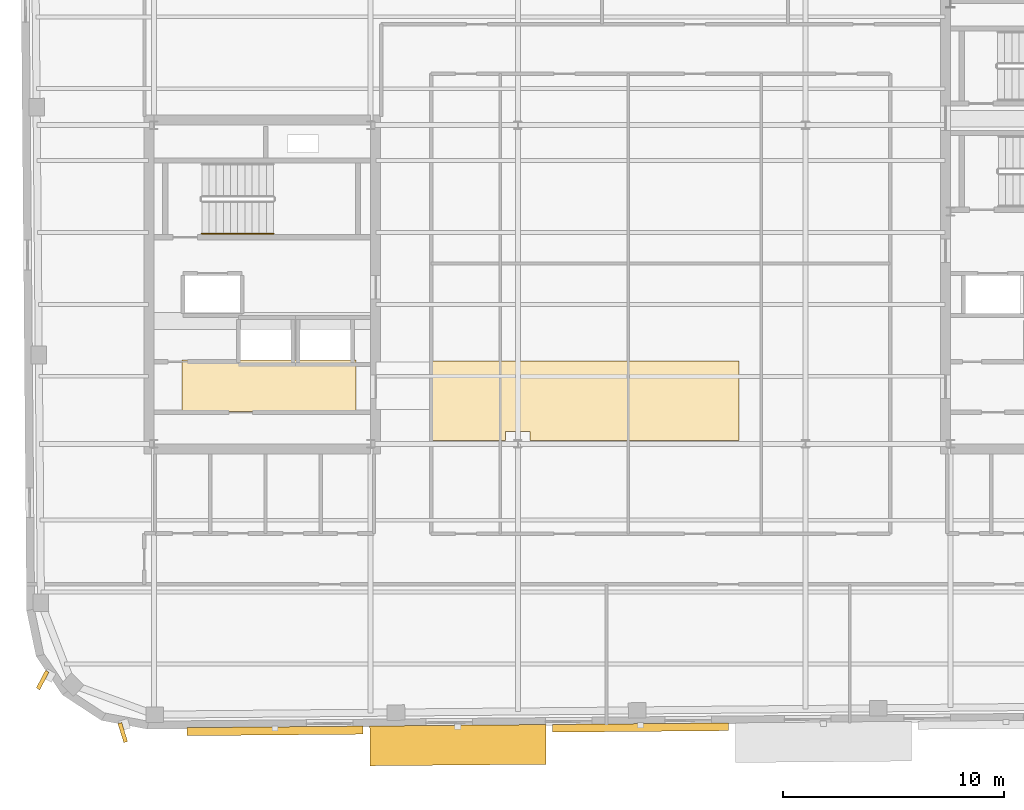
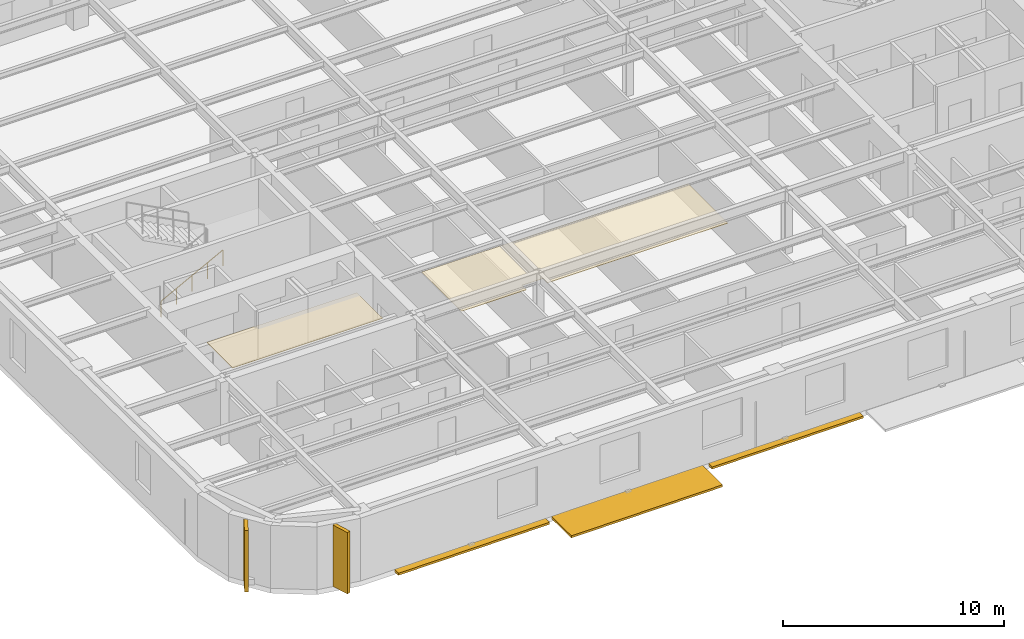
# One storey, part 11 of 15: 5 shading devices, 2 coverings, 1 railing.
"""IFC4 building model written with IfcOpenShell, lengths in metres."""

import ifcopenshell
import ifcopenshell.guid

model = None  # the IFC model being written
_history = None  # IfcOwnerHistory: only IFC2X3 demands one
_inside = {}  # id of a spatial element -> (the spatial element, [elements in it])
_under = {}  # id of a project, library or spatial element -> (it, [spatial elements below it])
_declared = {}  # id of a project -> (the project, [libraries it declares])
_typed = {}  # id of a type object -> (the type object, [elements of that type])
_made_of = {}  # id of a material, layer set ... -> (it, [elements and type objects made of it])


def new_model(schema):
    """Start an empty IFC model of exactly this schema.

    Asked for "IFC4X3", IfcOpenShell would pick the latest addendum, in which some entities
    have other attributes; the version numbers below select the first issue.
    IFC2X3 requires an IfcOwnerHistory on every rooted entity: one is made here for all.
    """
    global model, _history
    if schema == "IFC4X3":
        model = ifcopenshell.file(schema_version=(4, 3, 0, 0))
    else:
        model = ifcopenshell.file(schema=schema)
    _inside.clear()
    _under.clear()
    _declared.clear()
    _typed.clear()
    _made_of.clear()
    _history = None
    if model.schema == "IFC2X3":
        org = make("IfcOrganization", Name="unknown")
        user = make(
            "IfcPersonAndOrganization",
            ThePerson=make("IfcPerson", FamilyName="unknown"),
            TheOrganization=org,
        )
        app = make(
            "IfcApplication",
            ApplicationDeveloper=org,
            Version="unknown",
            ApplicationFullName="unknown",
            ApplicationIdentifier="unknown",
        )
        _history = make(
            "IfcOwnerHistory",
            OwningUser=user,
            OwningApplication=app,
            ChangeAction="ADDED",
            CreationDate=0,
        )
    return model


def make(cls, **values):
    """One entity of the class cls with the attributes given. An attribute that is None is left unset."""
    return model.create_entity(
        cls, **{name: value for name, value in values.items() if value is not None}
    )


def rooted(cls, **values):
    """An entity with a GlobalId (a new one), such as an element, a storey or a relation."""
    return make(cls, GlobalId=ifcopenshell.guid.new(), OwnerHistory=_history, **values)


def si_unit(unit_type, name, prefix=None):
    """IfcSIUnit, for example si_unit("LENGTHUNIT", "METRE", prefix="MILLI")."""
    return make("IfcSIUnit", UnitType=unit_type, Prefix=prefix, Name=name)


def assignment(units):
    """IfcUnitAssignment: the units of a project."""
    return None if units is None else make("IfcUnitAssignment", Units=units)


def point(xyz):
    """IfcCartesianPoint."""
    return None if xyz is None else make("IfcCartesianPoint", Coordinates=xyz)


def direction(xyz):
    """IfcDirection."""
    return None if xyz is None else make("IfcDirection", DirectionRatios=xyz)


def frame(location, z_axis=None, x_axis=None):
    """IfcAxis2Placement3D, a coordinate frame: its origin and axes. An axis left out is left unset."""
    return make(
        "IfcAxis2Placement3D",
        Location=point(location),
        Axis=direction(z_axis),
        RefDirection=direction(x_axis),
    )


def frame_2d(location, x_axis=None):
    """IfcAxis2Placement2D, a coordinate frame in the plane: its origin and x axis."""
    return make(
        "IfcAxis2Placement2D", Location=point(location), RefDirection=direction(x_axis)
    )


def origin():
    """The frame at (0, 0, 0) with its axes left unset."""
    return frame((0.0, 0.0, 0.0))


def origin_2d():
    """The frame at (0, 0) in the plane with its x axis left unset."""
    return frame_2d((0.0, 0.0))


def place(relative_to, where):
    """IfcLocalPlacement: puts the frame where relative to a parent placement (None: the world)."""
    return make(
        "IfcLocalPlacement", PlacementRelTo=relative_to, RelativePlacement=where
    )


def context(
    kind, dimensions, precision=None, world=None, true_north=None, identifier=None
):
    """IfcGeometricRepresentationContext, for example the 3D "Model" context."""
    return make(
        "IfcGeometricRepresentationContext",
        ContextIdentifier=identifier,
        ContextType=kind,
        CoordinateSpaceDimension=dimensions,
        Precision=precision,
        WorldCoordinateSystem=world,
        TrueNorth=true_north,
    )


def subcontext(parent, identifier, kind, view, scale=None):
    """IfcGeometricRepresentationSubContext, for example "Body" below "Model"."""
    return make(
        "IfcGeometricRepresentationSubContext",
        ContextIdentifier=identifier,
        ContextType=kind,
        ParentContext=parent,
        TargetScale=scale,
        TargetView=view,
    )


def project(units=None, contexts=None):
    """IfcProject with its units and contexts."""
    return rooted(
        "IfcProject",
        Name="project",
        RepresentationContexts=contexts,
        UnitsInContext=assignment(units),
    )


def spatial(cls, under=None, at=None, **own):
    """A site, building, storey or space (cls), placed at a placement, below another one or the project."""
    s = rooted(cls, ObjectPlacement=at, **own)
    if under is not None:
        _under.setdefault(under.id(), (under, []))[1].append(s)
    return s


def polyline(points):
    """IfcPolyline through the points."""
    return make("IfcPolyline", Points=[point(p) for p in points])


def profile(cls, at=None, kind="AREA", **sizes):
    """A parametric profile (cls). Its sizes go by their IFC names, for example OverallWidth=200.0."""
    return make(cls, ProfileType=kind, Position=at, **sizes)


def rectangle(**sizes):
    """IfcRectangleProfileDef."""
    return profile("IfcRectangleProfileDef", **sizes)


def circle(**sizes):
    """IfcCircleProfileDef."""
    return profile("IfcCircleProfileDef", **sizes)


def outline(outer, holes=None, kind="AREA"):
    """IfcArbitraryClosedProfileDef: a profile drawn as a closed curve; with holes, ...WithVoids."""
    if holes is None:
        return make("IfcArbitraryClosedProfileDef", ProfileType=kind, OuterCurve=outer)
    return make(
        "IfcArbitraryProfileDefWithVoids",
        ProfileType=kind,
        OuterCurve=outer,
        InnerCurves=holes,
    )


def extrude(swept, where, along, depth):
    """IfcExtrudedAreaSolid: the profile swept, set in the frame where, extruded along a direction by depth."""
    return make(
        "IfcExtrudedAreaSolid",
        SweptArea=swept,
        Position=where,
        ExtrudedDirection=direction(along),
        Depth=depth,
    )


def shape(context_of_items, identifier, shape_type, items):
    """IfcShapeRepresentation: the items that make up one representation, for example the "Body"."""
    return make(
        "IfcShapeRepresentation",
        ContextOfItems=context_of_items,
        RepresentationIdentifier=identifier,
        RepresentationType=shape_type,
        Items=items,
    )


def material(Name=None, Category=None):
    """IfcMaterial."""
    return make("IfcMaterial", Name=Name, Category=Category)


def layer(
    of_material, thickness, ventilated=None, Name=None, Category=None, Priority=None
):
    """IfcMaterialLayer: one layer of a wall or slab, of a material (None: an air gap)."""
    return make(
        "IfcMaterialLayer",
        Material=of_material,
        LayerThickness=thickness,
        IsVentilated=ventilated,
        Name=Name,
        Category=Category,
        Priority=Priority,
    )


def layer_set(layers, Name=None):
    """IfcMaterialLayerSet."""
    return make("IfcMaterialLayerSet", MaterialLayers=layers, LayerSetName=Name)


def made_of(thing, what):
    """Note that an element or type object is made of a material, layer set ...; save() writes the relation."""
    if what is not None:
        _made_of.setdefault(what.id(), (what, []))[1].append(thing)
    return thing


def type_object(cls, material=None, **own):
    """A type object (cls), such as IfcWallType, which elements share."""
    return made_of(rooted(cls, **own), material)


def element(
    cls,
    number,
    at=None,
    inside=None,
    cuts=None,
    type_object=None,
    material=None,
    context=None,
    identifier="Body",
    shape_type=None,
    held_by="IfcProductDefinitionShape",
    body=None,
    shapes=None,
    **own,
):
    """One element of the class cls, such as IfcWall. Its Tag is "e" and its number.

    at: its placement. inside: the storey or other place that contains it. cuts: it is an
    opening in that element (IfcRelVoidsElement). A single representation is given by context,
    identifier, shape_type and body (its items); several are given by shapes. held_by: the class
    of the entity that holds the representations. save() writes the other relations.
    """
    e = rooted(cls, Tag="e%d" % number, ObjectPlacement=at, **own)
    if body is not None:
        shapes = [shape(context, identifier, shape_type, body)]
    if shapes is not None:
        e.Representation = make(held_by, Representations=shapes)
    if inside is not None:
        _inside.setdefault(inside.id(), (inside, []))[1].append(e)
    if cuts is not None:
        rooted(
            "IfcRelVoidsElement", RelatingBuildingElement=cuts, RelatedOpeningElement=e
        )
    if type_object is not None:
        _typed.setdefault(type_object.id(), (type_object, []))[1].append(e)
    return made_of(e, material)


def aggregate(whole, parts):
    """IfcRelAggregates: a whole, such as a stair, and the parts it consists of."""
    return rooted("IfcRelAggregates", RelatingObject=whole, RelatedObjects=parts)


def save(model, path):
    """Write the relations noted so far, then the file.

    IfcRelAggregates (storeys below a building ...), IfcRelContainedInSpatialStructure (elements
    in a storey), IfcRelDefinesByType, IfcRelAssociatesMaterial and IfcRelDeclares: one each for
    every whole, place, type object, material and project.
    """
    for whole, parts in _under.values():
        aggregate(whole, parts)
    for where, things in _inside.values():
        rooted(
            "IfcRelContainedInSpatialStructure",
            RelatedElements=things,
            RelatingStructure=where,
        )
    for kind, things in _typed.values():
        rooted("IfcRelDefinesByType", RelatedObjects=things, RelatingType=kind)
    for what, things in _made_of.values():
        rooted("IfcRelAssociatesMaterial", RelatedObjects=things, RelatingMaterial=what)
    for by, libraries in _declared.values():
        rooted("IfcRelDeclares", RelatingContext=by, RelatedDefinitions=libraries)
    model.write(path)


model = new_model("IFC4")

# Units and contexts
model_context = context("Model", 3, precision=1e-05, world=origin(), true_north=direction((0.0, 1.0)))
body_context = subcontext(model_context, "Body", "Model", "MODEL_VIEW")
ifc_project = project(units=[si_unit("LENGTHUNIT", "METRE"), si_unit("AREAUNIT", "SQUARE_METRE"), si_unit("VOLUMEUNIT", "CUBIC_METRE"), si_unit("PLANEANGLEUNIT", "RADIAN"), si_unit("MASSUNIT", "GRAM", prefix="KILO")], contexts=[model_context])

# Site, building, storey
site_placement = place(None, origin())
site = spatial("IfcSite", under=ifc_project, at=site_placement, CompositionType="ELEMENT")
building_placement = place(site_placement, origin())
building = spatial("IfcBuilding", under=site, at=building_placement, Name="Kolvaren Arena Tower", CompositionType="ELEMENT")
storey_placement = place(building_placement, frame((0.0, 0.0, 304.89990234375)))
storey = spatial("IfcBuildingStorey", under=building, at=storey_placement, Name="L75", CompositionType="ELEMENT", Elevation=304.89990234375)

# Coverings
ifc_material_1 = material(Name="Mineral fibre acoustic ceiling tile", Category="gypsum")
ifc_layer_1 = layer(ifc_material_1, 0.02490234375)
ifc_layer_set_1 = layer_set([ifc_layer_1], Name="Mineral fibre acoustic ceiling tile")
covering_type_1 = type_object("IfcCoveringType", Name="CEIL-ACT-1", PredefinedType="CEILING", material=ifc_layer_set_1)
covering_1_placement = place(storey_placement, frame((0.0, 0.0, 2.52001953125)))
element("IfcCovering", 1, at=covering_1_placement, inside=storey, type_object=covering_type_1, Name="Suspended Ceiling (L75)", PredefinedType="CEILING", context=body_context, shape_type="SweptSolid", body=[
    extrude(outline(polyline([(27.050048828125, 19.60009765625), (27.050048828125, 23.199951171875), (41.0, 23.199951171875), (41.0, 19.60009765625), (31.550048828125, 19.60009765625), (31.550048828125, 20.0), (30.449951171875, 20.0), (30.449951171875, 19.60009765625), (27.050048828125, 19.60009765625)])), origin(), (0.0, 0.0, 1.0), 0.025146484375),
])
ifc_material_2 = material(Name="Moisture-resistant gypsum ceiling", Category="gypsum")
ifc_layer_2 = layer(ifc_material_2, 0.030029296875)
ifc_layer_set_2 = layer_set([ifc_layer_2], Name="Moisture-resistant gypsum ceiling")
covering_type_2 = type_object("IfcCoveringType", Name="CEIL-GYP-1", PredefinedType="CEILING", material=ifc_layer_set_2)
covering_2_placement = place(storey_placement, frame((0.0, 0.0, 2.52001953125)))
element("IfcCovering", 2, at=covering_2_placement, inside=storey, type_object=covering_type_2, Name="Suspended Ceiling (L75)", PredefinedType="CEILING", context=body_context, shape_type="SweptSolid", body=[
    extrude(outline(polyline([(15.820068359375, 20.89990234375), (15.820068359375, 23.239990234375), (23.679931640625, 23.239990234375), (23.679931640625, 20.89990234375), (15.820068359375, 20.89990234375)])), origin(), (0.0, 0.0, 1.0), 0.030029296875),
])

# Railing
ifc_material_3 = material(Name="Brushed stainless steel handrail", Category="steel")
railing_type = type_object("IfcRailingType", Name="HRAIL-900", PredefinedType="HANDRAIL", material=ifc_material_3)
railing_placement = place(storey_placement, frame((16.719970703125, 28.949951171875, 0.170654296875)))
element("IfcRailing", 3, at=railing_placement, inside=storey, type_object=railing_type, Name="L75 ST-W1 stair handrail 1", PredefinedType="HANDRAIL", context=body_context, shape_type="SweptSolid", body=[
    extrude(circle(Radius=0.02392578125, at=origin_2d()), frame((0.0, 0.0, 0.8759765625), z_axis=(0.885020909582, 0.0, 0.465551274945), x_axis=(0.0, 1.0, 0.0)), (0.0, 0.0, 1.0), 3.660888671875),
    extrude(circle(Radius=0.02099609375, at=origin_2d()), origin(), (0.0, 0.0, 1.0), 0.851806640625),
    extrude(circle(Radius=0.02099609375, at=origin_2d()), frame((0.81005859375, 0.0, 0.426025390625)), (0.0, 0.0, 1.0), 0.851806640625),
    extrude(circle(Radius=0.02099609375, at=origin_2d()), frame((1.6201171875, 0.0, 0.85205078125)), (0.0, 0.0, 1.0), 0.851806640625),
    extrude(circle(Radius=0.02099609375, at=origin_2d()), frame((2.429931640625, 0.0, 1.2783203125)), (0.0, 0.0, 1.0), 0.851806640625),
    extrude(circle(Radius=0.02099609375, at=origin_2d()), frame((3.239990234375, 0.0, 1.704345703125)), (0.0, 0.0, 1.0), 0.851806640625),
])

# Shading devices
ifc_material_4 = material(Name="Precast architectural concrete C50/60 rib fin", Category="concrete")
shading_device_type_1 = type_object("IfcShadingDeviceType", Name="SHAD-FIN-28", PredefinedType="USERDEFINED", material=ifc_material_4)
for number, where, z_axis, x_axis, name in (
    (4, (9.525146484375, 8.77392578125, 0.020263671875), (0.0, 0.0, 1.0), (-0.465619154103, -0.884985199499, 0.0), "Precast 28-Deg Corner Rib Fin (L75)"),
    (5, (13.1455078125, 6.400390625, 0.020263671875), (0.0, 0.0, 1.0), (0.296541574976, -0.955019944457, 0.0), "Precast 28-Deg Corner Rib Fin (L75)"),
):
    element("IfcShadingDevice", number, at=place(storey_placement, frame(where, z_axis=z_axis, x_axis=x_axis)), inside=storey, type_object=shading_device_type_1, Name=name, ObjectType="FIN", PredefinedType="USERDEFINED", context=body_context, shape_type="SweptSolid", body=[
        extrude(rectangle(XDim=0.89990234375, YDim=0.179931640625, at=origin_2d()), origin(), (0.0, 0.0, 1.0), 3.39990234375),
    ])
ifc_material_5 = material(Name="Architectural precast GFRC and anodised aluminium sunshade", Category="concrete")
shading_device_type_2 = type_object("IfcShadingDeviceType", Name="SHAD-SINE-A", PredefinedType="USERDEFINED", material=ifc_material_5)
shading_device_1_placement = place(storey_placement, frame((36.5478515625, 6.627197265625, -0.139892578125), z_axis=(0.0, 0.0, 1.0), x_axis=(-0.999961923064, -0.008726535498, 0.0)))
element("IfcShadingDevice", 6, at=shading_device_1_placement, inside=storey, type_object=shading_device_type_2, Name="Sinusoidal Slab-Edge Sunshade Louvre (L75)", ObjectType="LOUVRE", PredefinedType="USERDEFINED", context=body_context, shape_type="SweptSolid", body=[
    extrude(rectangle(XDim=7.9599609375, YDim=0.35009765625, at=origin_2d()), origin(), (0.0, 0.0, 1.0), 0.1201171875),
])
shading_device_2_placement = place(storey_placement, frame((20.028564453125, 6.4755859375, -0.139892578125), z_axis=(0.0, 0.0, 1.0), x_axis=(-0.999961923064, -0.008726535498, 0.0)))
element("IfcShadingDevice", 7, at=shading_device_2_placement, inside=storey, type_object=shading_device_type_2, Name="Sinusoidal Slab-Edge Sunshade Louvre (L75)", ObjectType="LOUVRE", PredefinedType="USERDEFINED", context=body_context, shape_type="SweptSolid", body=[
    extrude(rectangle(XDim=7.9599609375, YDim=0.364990234375, at=origin_2d()), origin(), (0.0, 0.0, 1.0), 0.1201171875),
])
shading_device_type_3 = type_object("IfcShadingDeviceType", Name="SHAD-SINE-B", PredefinedType="JALOUSIE", material=ifc_material_5)
shading_device_3_placement = place(storey_placement, frame((28.29443359375, 5.83203125, -0.139892578125), z_axis=(0.0, 0.0, 1.0), x_axis=(-0.999961923064, -0.008726535498, 0.0)))
element("IfcShadingDevice", 8, at=shading_device_3_placement, inside=storey, type_object=shading_device_type_3, Name="Sinusoidal Slab-Edge Sunshade Louvre (L75)", PredefinedType="JALOUSIE", context=body_context, shape_type="SweptSolid", body=[
    extrude(rectangle(XDim=7.9599609375, YDim=1.796142578125, at=origin_2d()), origin(), (0.0, 0.0, 1.0), 0.1201171875),
])

save(model, "model.ifc")
